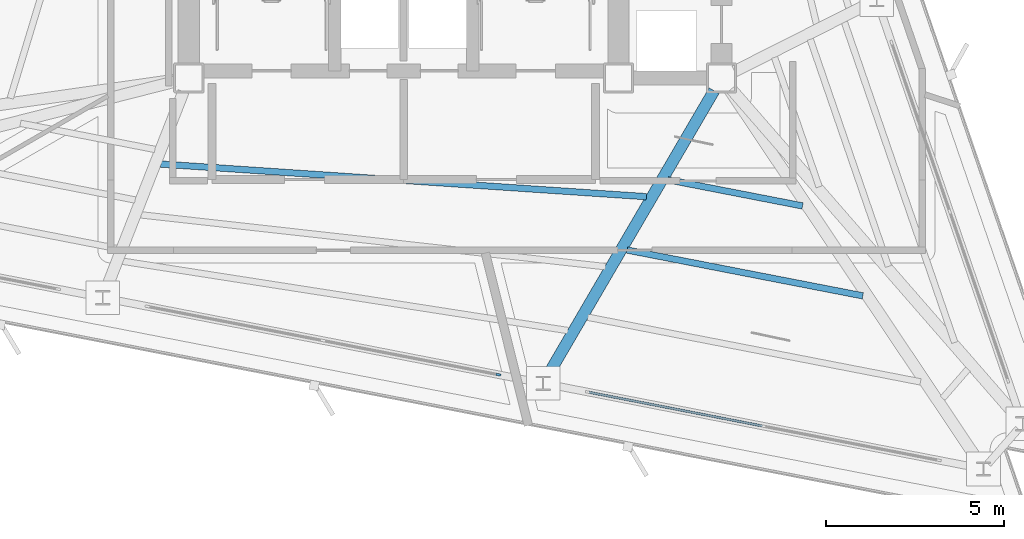
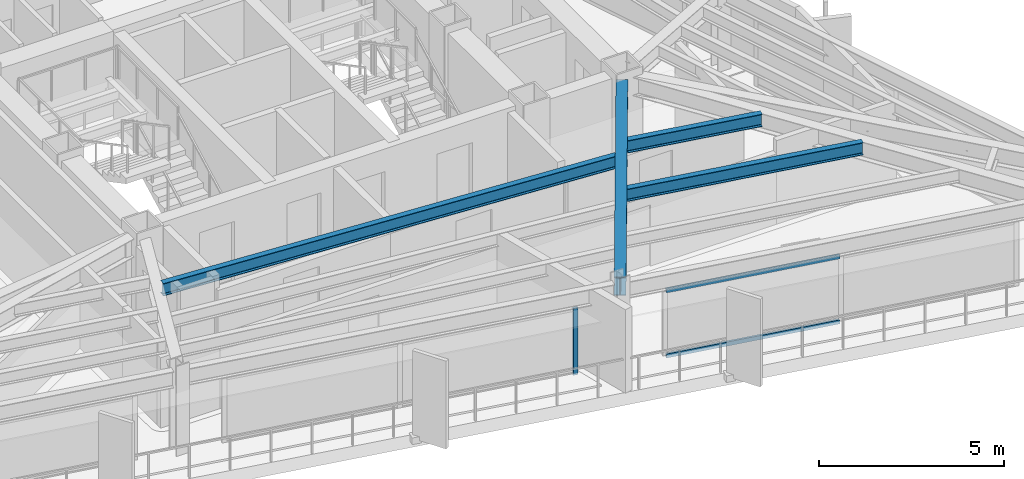
# One storey, part 3 of 13: 4 beams, 3 members, 2 elements without a shape of their own.
"""IFC4 building model written with IfcOpenShell, lengths in metres."""

from ifc_helpers import new_model, si_unit, direction, frame, origin, origin_2d, place, context, subcontext, project, spatial, rectangle, i_section, extrude, material, layer, layer_set, material_profile, profile_set, type_object, element, aggregate, save


model = new_model("IFC4")

# Units and contexts
model_context = context("Model", 3, precision=1e-05, world=origin(), true_north=direction((0.0, 1.0)))
body_context = subcontext(model_context, "Body", "Model", "MODEL_VIEW")
ifc_project = project(units=[si_unit("LENGTHUNIT", "METRE"), si_unit("AREAUNIT", "SQUARE_METRE"), si_unit("VOLUMEUNIT", "CUBIC_METRE"), si_unit("PLANEANGLEUNIT", "RADIAN"), si_unit("MASSUNIT", "GRAM", prefix="KILO")], contexts=[model_context])

# Site, building, storey
site_placement = place(None, origin())
site = spatial("IfcSite", under=ifc_project, at=site_placement, CompositionType="ELEMENT")
building_placement = place(site_placement, origin())
building = spatial("IfcBuilding", under=site, at=building_placement, Name="Rocaltana Carrier Exchange", CompositionType="ELEMENT")
storey_placement = place(building_placement, frame((0.0, 0.0, 147.199951171875)))
storey = spatial("IfcBuildingStorey", under=building, at=storey_placement, Name="L46", CompositionType="ELEMENT", Elevation=147.199951171875)

# Curtain wall, member
ifc_material_1 = material(Name="Aluminium 6063-T6", Category="aluminium")
ifc_layer = layer(ifc_material_1, 0.135009765625)
ifc_layer_set = layer_set([ifc_layer], Name="Aluminium 6063-T6")
curtain_wall_type = type_object("IfcCurtainWallType", Name="Upper-Mid Acoustic Curtain Wall CW-04", PredefinedType="NOTDEFINED", material=ifc_layer_set)
curtain_wall_1_placement = place(storey_placement, origin())
curtain_wall_1 = element("IfcCurtainWall", 1, at=curtain_wall_1_placement, inside=storey, type_object=curtain_wall_type, Name="L46 CW-04 Run CW-L46-F3S2", PredefinedType="NOTDEFINED")
ifc_material_2 = material(Name="Aluminium 6063-T6", Category="aluminium")
ifc_material_profile_1 = material_profile(ifc_material_2, rectangle(XDim=0.06494140625, YDim=0.135009765625, at=origin_2d()), Name="AL-65X135")
ifc_profile_set_1 = profile_set([ifc_material_profile_1], Name="Aluminium 6063-T6")
member_type_1 = type_object("IfcMemberType", Name="CW-04 Mullion AL-65X135", PredefinedType="MULLION", material=ifc_profile_set_1)
member_1_placement = place(storey_placement, frame((2.66845703125, -12.6552734375, 0.0), z_axis=(0.0, 0.0, 1.0), x_axis=(0.190814718784, 0.981626070913, 0.0)))
member_1 = element("IfcMember", 2, at=member_1_placement, type_object=member_type_1, Name="CW-04 mullion 3", PredefinedType="MULLION", context=body_context, shape_type="SweptSolid", body=[
    extrude(rectangle(XDim=0.06494140625, YDim=0.135009765625, at=origin_2d()), origin(), (0.0, 0.0, 1.0), 2.218017578125),
])
aggregate(curtain_wall_1, [member_1])

# Curtain wall, members
curtain_wall_2_placement = place(storey_placement, origin())
curtain_wall_2 = element("IfcCurtainWall", 3, at=curtain_wall_2_placement, inside=storey, type_object=curtain_wall_type, Name="L46 CW-04 Run CW-L46-F3S3", PredefinedType="NOTDEFINED")
ifc_material_3 = material(Name="Aluminium 6063-T6", Category="aluminium")
ifc_material_profile_2 = material_profile(ifc_material_3, rectangle(XDim=0.06494140625, YDim=0.135009765625, at=origin_2d()), Name="AL-65X135")
ifc_profile_set_2 = profile_set([ifc_material_profile_2], Name="Aluminium 6063-T6")
member_type_2 = type_object("IfcMemberType", Name="CW-04 Transom AL-65X135", PredefinedType="USERDEFINED", material=ifc_profile_set_2)
member_2_placement = place(storey_placement, frame((5.21826171875, -13.15087890625, 0.032470703125), z_axis=(0.981624593621, -0.1908223184, 0.0), x_axis=(0.1908223184, 0.981624593621, 0.0)))
member_2 = element("IfcMember", 4, at=member_2_placement, type_object=member_type_2, Name="CW-04 transom 1.1", ObjectType="TRANSOM", PredefinedType="USERDEFINED", context=body_context, shape_type="SweptSolid", body=[
    extrude(rectangle(XDim=0.06494140625, YDim=0.135009765625, at=origin_2d()), origin(), (0.0, 0.0, 1.0), 4.96923828125),
])
member_3_placement = place(storey_placement, frame((5.21826171875, -13.15087890625, 2.185546875), z_axis=(0.981624593621, -0.1908223184, 0.0), x_axis=(0.1908223184, 0.981624593621, 0.0)))
member_3 = element("IfcMember", 5, at=member_3_placement, type_object=member_type_2, Name="CW-04 transom 1.2", ObjectType="TRANSOM", PredefinedType="USERDEFINED", context=body_context, shape_type="SweptSolid", body=[
    extrude(rectangle(XDim=0.06494140625, YDim=0.135009765625, at=origin_2d()), origin(), (0.0, 0.0, 1.0), 4.96923828125),
])
aggregate(curtain_wall_2, [member_2, member_3])

# Beams
ifc_material_4 = material(Name="Steel S355", Category="steel")
ifc_material_profile_3 = material_profile(ifc_material_4, i_section(OverallWidth=0.179931640625, OverallDepth=0.4130859375, WebThickness=0.009765625, FlangeThickness=0.01611328125, FilletRadius=0.012939453125, at=origin_2d()), Name="W16X50")
ifc_profile_set_3 = profile_set([ifc_material_profile_3], Name="Steel S355")
beam_type_1 = type_object("IfcBeamType", Name="Floor Joist W16X50", PredefinedType="JOIST", material=ifc_profile_set_3)
beam_1_placement = place(storey_placement, frame((-6.839599609375, -6.724365234375, 2.58154296875), z_axis=(0.997748594569, -0.067065207337, 0.0), x_axis=(0.067065207337, 0.997748594569, 0.0)))
element("IfcBeam", 6, at=beam_1_placement, inside=storey, type_object=beam_type_1, Name="FJ-L46-10-1", PredefinedType="JOIST", context=body_context, shape_type="SweptSolid", body=[
    extrude(i_section(OverallWidth=0.179931640625, OverallDepth=0.4130859375, WebThickness=0.009765625, FlangeThickness=0.01611328125, FilletRadius=0.012939453125, at=origin_2d()), origin(), (0.0, 0.0, 1.0), 13.705810546875),
])
beam_2_placement = place(storey_placement, frame((7.44580078125, -7.167724609375, 2.58154296875), z_axis=(0.981618354608, -0.190854410211, 0.0), x_axis=(0.190854410211, 0.981618354608, 0.0)))
element("IfcBeam", 7, at=beam_2_placement, inside=storey, type_object=beam_type_1, Name="FJ-L46-11-1", PredefinedType="JOIST", context=body_context, shape_type="SweptSolid", body=[
    extrude(i_section(OverallWidth=0.179931640625, OverallDepth=0.4130859375, WebThickness=0.009765625, FlangeThickness=0.01611328125, FilletRadius=0.012939453125, at=origin_2d()), origin(), (0.0, 0.0, 1.0), 3.856689453125),
])
beam_3_placement = place(storey_placement, frame((6.29052734375, -9.145751953125, 2.58154296875), z_axis=(0.981629854201, -0.190795255028, 0.0), x_axis=(0.190795255028, 0.981629854201, 0.0)))
element("IfcBeam", 8, at=beam_3_placement, inside=storey, type_object=beam_type_1, Name="FJ-L46-11-2", PredefinedType="JOIST", context=body_context, shape_type="SweptSolid", body=[
    extrude(i_section(OverallWidth=0.179931640625, OverallDepth=0.4130859375, WebThickness=0.009765625, FlangeThickness=0.01611328125, FilletRadius=0.012939453125, at=origin_2d()), origin(), (0.0, 0.0, 1.0), 6.7626953125),
])
ifc_material_5 = material(Name="Steel S355", Category="steel")
ifc_material_profile_4 = material_profile(ifc_material_5, i_section(OverallWidth=0.323974609375, OverallDepth=0.611083984375, WebThickness=0.0126953125, FlangeThickness=0.01904296875, FilletRadius=0.01611328125, at=origin_2d()), Name="W24X104")
ifc_profile_set_4 = profile_set([ifc_material_profile_4], Name="Steel S355")
beam_type_2 = type_object("IfcBeamType", Name="Radial Girder W24X104", PredefinedType="BEAM", material=ifc_profile_set_4)
beam_4_placement = place(storey_placement, frame((8.73974609375, -4.66015625, 2.482666015625), z_axis=(-0.504327123858, -0.863512682096, 0.0), x_axis=(0.863512682096, -0.504327123858, 0.0)))
element("IfcBeam", 9, at=beam_4_placement, inside=storey, type_object=beam_type_2, Name="RG-L46-11", PredefinedType="BEAM", context=body_context, shape_type="SweptSolid", body=[
    extrude(i_section(OverallWidth=0.323974609375, OverallDepth=0.611083984375, WebThickness=0.0126953125, FlangeThickness=0.01904296875, FilletRadius=0.01611328125, at=origin_2d()), origin(), (0.0, 0.0, 1.0), 9.350830078125),
])

save(model, "model.ifc")
